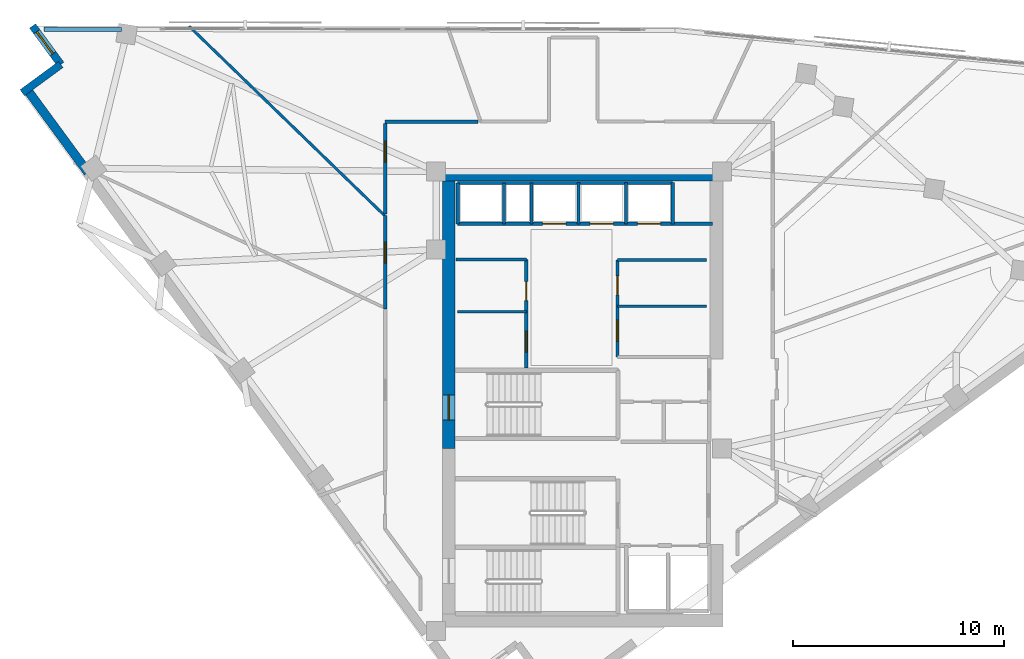
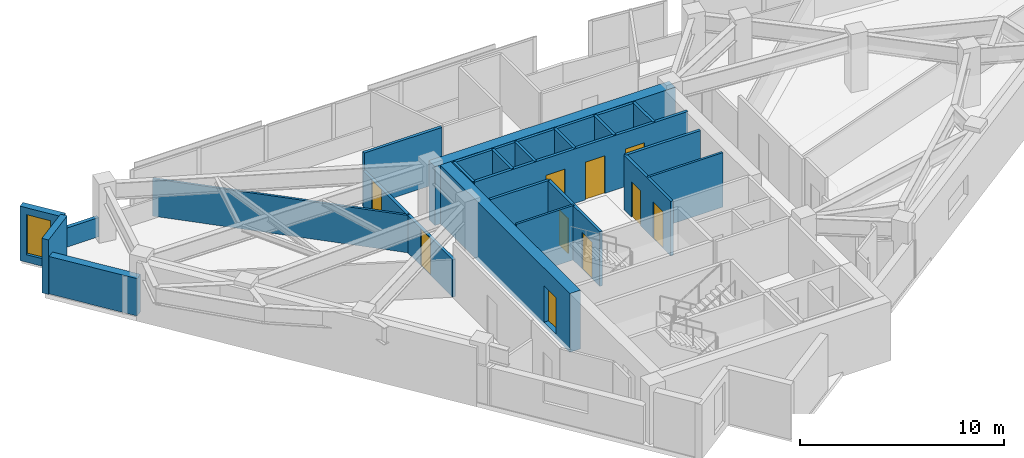
# One storey, part 9 of 14: 25 walls, 10 doors, 1 window, 11 openings.
"""IFC4 building model written with IfcOpenShell, lengths in metres."""

from ifc_helpers import new_model, si_unit, direction, frame, frame_2d, origin, place, context, subcontext, project, spatial, rectangle, extrude, material, layer, layer_set, type_object, element, fill, save


model = new_model("IFC4")

# Units and contexts
model_context = context("Model", 3, precision=1e-05, world=origin(), true_north=direction((0.0, 1.0)))
body_context = subcontext(model_context, "Body", "Model", "MODEL_VIEW")
ifc_project = project(units=[si_unit("LENGTHUNIT", "METRE"), si_unit("AREAUNIT", "SQUARE_METRE"), si_unit("VOLUMEUNIT", "CUBIC_METRE"), si_unit("PLANEANGLEUNIT", "RADIAN"), si_unit("MASSUNIT", "GRAM", prefix="KILO")], contexts=[model_context])

# Site, building, storey
site_placement = place(None, origin())
site = spatial("IfcSite", under=ifc_project, at=site_placement, CompositionType="ELEMENT")
building_placement = place(site_placement, origin())
building = spatial("IfcBuilding", under=site, at=building_placement, Name="Narakoshi Arena Tower", CompositionType="ELEMENT")
storey_placement = place(building_placement, frame((0.0, 0.0, 260.739990234375)))
storey = spatial("IfcBuildingStorey", under=building, at=storey_placement, Name="L71", CompositionType="ELEMENT", Elevation=260.739990234375)

# Wall, opening, door
ifc_material_1 = material(Name="Concrete C50/60", Category="concrete")
ifc_layer_1 = layer(ifc_material_1, 0.60009765625)
ifc_layer_set_1 = layer_set([ifc_layer_1], Name="Concrete C50/60")
wall_type_1 = type_object("IfcWallType", Name="WL-CORE-600", PredefinedType="SHEAR", material=ifc_layer_set_1)
wall_1_placement = place(storey_placement, frame((72.60009765625, 43.35009765625, -0.260009765625), z_axis=(0.0, 0.0, 1.0), x_axis=(0.0, 1.0, 0.0)))
wall_1 = element("IfcWall", 1, at=wall_1_placement, inside=storey, type_object=wall_type_1, Name="L71 Main Core Shear Wall CW-MN-W", PredefinedType="SHEAR", context=body_context, shape_type="SweptSolid", body=[
    extrude(rectangle(XDim=12.699951171875, YDim=0.60009765625, at=frame_2d((6.35009765625, 0.0))), origin(), (0.0, 0.0, 1.0), 3.52001953125),
])
opening_1_placement = place(wall_1_placement, frame((1.35009765625, 0.0, 0.260009765625)))
opening_1 = element("IfcOpeningElement", 2, at=opening_1_placement, cuts=wall_1, Name="Opening D-03", PredefinedType="OPENING", context=body_context, shape_type="SweptSolid", body=[
    extrude(rectangle(XDim=1.199951171875, YDim=2.199951171875, at=frame_2d((0.60009765625, 1.10009765625))), frame((0.0, 0.31005859375, 0.0), z_axis=(0.0, -1.0, 0.0), x_axis=(1.0, 0.0, 0.0)), (0.0, 0.0, 1.0), 0.6201171875),
])
ifc_material_2 = material(Name="Painted galvanized steel", Category="steel")
door_type_1 = type_object("IfcDoorType", Name="DR-STR-1200", OperationType="NOTDEFINED", PredefinedType="USERDEFINED", material=ifc_material_2)
door_1_placement = place(opening_1_placement, frame((1.199951171875, 0.0, 0.0), z_axis=(0.0, 0.0, 1.0), x_axis=(-1.0, 0.0, 0.0)))
door_1 = element("IfcDoor", 3, at=door_1_placement, inside=storey, type_object=door_type_1, Name="DR-L71-006", ObjectType="EXITDOOR", OperationType="SINGLE_SWING_LEFT", OverallHeight=2.199951171875, OverallWidth=1.199951171875, PredefinedType="USERDEFINED", context=body_context, shape_type="SweptSolid", body=[
    extrude(rectangle(XDim=1.199951171875, YDim=2.199951171875, at=frame_2d((0.60009765625, 1.10009765625))), frame((0.0, 0.02490234375, 0.0), z_axis=(0.0, -1.0, 0.0), x_axis=(1.0, 0.0, 0.0)), (0.0, 0.0, 1.0), 0.050048828125),
])
fill(opening_1, door_1)

# Wall
wall_2_placement = place(storey_placement, frame((72.0, 56.35009765625, -0.260009765625), z_axis=(0.0, 0.0, 1.0), x_axis=(1.0, 0.0, 0.0)))
element("IfcWall", 4, at=wall_2_placement, inside=storey, type_object=wall_type_1, Name="L71 Main Core Shear Wall CW-MN-N", PredefinedType="SHEAR", context=body_context, shape_type="SweptSolid", body=[
    extrude(rectangle(XDim=13.60009765625, YDim=0.60009765625, at=frame_2d((6.800048828125, 0.0))), origin(), (0.0, 0.0, 1.0), 3.52001953125),
])

# Wall, opening, door
ifc_material_3 = material(Name="Gypsum plasterboard fire-rated partition")
ifc_layer_2 = layer(ifc_material_3, 0.1650390625)
ifc_layer_set_2 = layer_set([ifc_layer_2], Name="Gypsum plasterboard fire-rated partition")
wall_type_2 = type_object("IfcWallType", Name="WL-CORR-165", PredefinedType="PARTITIONING", material=ifc_layer_set_2)
wall_3_placement = place(storey_placement, frame((69.577880859375, 54.41064453125, 0.0), z_axis=(0.0, 0.0, 1.0), x_axis=(0.0, -1.0, 0.0)))
wall_3 = element("IfcWall", 5, at=wall_3_placement, inside=storey, type_object=wall_type_2, Name="L71 Corridor Partition 07-1", PredefinedType="PARTITIONING", context=body_context, shape_type="SweptSolid", body=[
    extrude(rectangle(XDim=4.42822265625, YDim=0.1650390625, at=frame_2d((2.214111328125, 0.0))), origin(), (0.0, 0.0, 1.0), 2.237060546875),
])
opening_2_placement = place(wall_3_placement, frame((1.260009765625, 0.0, 0.0)))
opening_2 = element("IfcOpeningElement", 6, at=opening_2_placement, cuts=wall_3, Name="Opening D-06", PredefinedType="OPENING", context=body_context, shape_type="SweptSolid", body=[
    extrude(rectangle(XDim=1.0, YDim=2.199951171875, at=frame_2d((0.5, 1.10009765625))), frame((0.0, 0.092529296875, 0.0), z_axis=(0.0, -1.0, 0.0), x_axis=(1.0, 0.0, 0.0)), (0.0, 0.0, 1.0), 0.18505859375),
])
ifc_material_4 = material(Name="Stained oak solid-core timber", Category="wood")
door_type_2 = type_object("IfcDoorType", Name="DR-OFF-1000", OperationType="NOTDEFINED", PredefinedType="DOOR", material=ifc_material_4)
door_2_placement = place(opening_2_placement, frame((1.0, 0.0, 0.0), z_axis=(0.0, 0.0, 1.0), x_axis=(-1.0, 0.0, 0.0)))
door_2 = element("IfcDoor", 7, at=door_2_placement, inside=storey, type_object=door_type_2, Name="DR-L71-023", OperationType="SINGLE_SWING_LEFT", OverallHeight=2.199951171875, OverallWidth=1.0, PredefinedType="DOOR", context=body_context, shape_type="SweptSolid", body=[
    extrude(rectangle(XDim=1.0, YDim=2.199951171875, at=frame_2d((0.5, 1.10009765625))), frame((0.0, 0.02490234375, 0.0), z_axis=(0.0, -1.0, 0.0), x_axis=(1.0, 0.0, 0.0)), (0.0, 0.0, 1.0), 0.050048828125),
])
fill(opening_2, door_2)

# Wall
wall_4_placement = place(storey_placement, frame((73.98388671875, 58.872314453125, 0.0), z_axis=(0.0, 0.0, 1.0), x_axis=(-1.0, 0.0, 0.0)))
element("IfcWall", 8, at=wall_4_placement, inside=storey, type_object=wall_type_2, Name="L71 Corridor Partition 08-1", PredefinedType="PARTITIONING", context=body_context, shape_type="SweptSolid", body=[
    extrude(rectangle(XDim=4.406005859375, YDim=0.1650390625, at=frame_2d((2.203125, 0.0))), origin(), (0.0, 0.0, 1.0), 3.260009765625),
])

# Wall, opening, door
wall_5_placement = place(storey_placement, frame((69.577880859375, 58.777587890625, 0.0), z_axis=(0.0, 0.0, 1.0), x_axis=(0.0, -1.0, 0.0)))
wall_5 = element("IfcWall", 9, at=wall_5_placement, inside=storey, type_object=wall_type_2, Name="L71 Corridor Partition 08-2", PredefinedType="PARTITIONING", context=body_context, shape_type="SweptSolid", body=[
    extrude(rectangle(XDim=4.2900390625, YDim=0.1650390625, at=frame_2d((2.14501953125, 0.0))), origin(), (0.0, 0.0, 1.0), 2.237060546875),
])
opening_3_placement = place(wall_5_placement, frame((0.835693359375, 0.0, 0.0)))
opening_3 = element("IfcOpeningElement", 10, at=opening_3_placement, cuts=wall_5, Name="Opening D-06", PredefinedType="OPENING", context=body_context, shape_type="SweptSolid", body=[
    extrude(rectangle(XDim=1.0, YDim=2.199951171875, at=frame_2d((0.5, 1.10009765625))), frame((0.0, 0.092529296875, 0.0), z_axis=(0.0, -1.0, 0.0), x_axis=(1.0, 0.0, 0.0)), (0.0, 0.0, 1.0), 0.18505859375),
])
door_3_placement = place(opening_3_placement, frame((1.0, 0.0, 0.0), z_axis=(0.0, 0.0, 1.0), x_axis=(-1.0, 0.0, 0.0)))
door_3 = element("IfcDoor", 11, at=door_3_placement, inside=storey, type_object=door_type_2, Name="DR-L71-024", OperationType="SINGLE_SWING_RIGHT", OverallHeight=2.199951171875, OverallWidth=1.0, PredefinedType="DOOR", context=body_context, shape_type="SweptSolid", body=[
    extrude(rectangle(XDim=1.0, YDim=2.199951171875, at=frame_2d((0.5, 1.10009765625))), frame((0.0, 0.02490234375, 0.0), z_axis=(0.0, -1.0, 0.0), x_axis=(1.0, 0.0, 0.0)), (0.0, 0.0, 1.0), 0.050048828125),
])
fill(opening_3, door_3)

# Walls
ifc_material_5 = material(Name="Precast concrete C45/55", Category="concrete")
ifc_layer_3 = layer(ifc_material_5, 0.25)
ifc_layer_set_3 = layer_set([ifc_layer_3], Name="Precast concrete C45/55")
wall_type_3 = type_object("IfcWallType", Name="WL-PARA-250", PredefinedType="PARAPET", material=ifc_layer_set_3)
wall_6_placement = place(storey_placement, frame((57.064208984375, 63.240966796875, 0.0), z_axis=(0.0, 0.0, 1.0), x_axis=(-0.999998274159, 0.001857869529, 0.0)))
element("IfcWall", 12, at=wall_6_placement, inside=storey, type_object=wall_type_3, Name="L71 Hypotenuse Sill Upstand Parapet 2-02", PredefinedType="PARAPET", context=body_context, shape_type="SweptSolid", body=[
    extrude(rectangle(XDim=3.679443359375, YDim=0.199951171875, at=frame_2d((1.83984375, 0.0))), origin(), (0.0, 0.0, 1.0), 1.14990234375),
])
ifc_layer_4 = layer(ifc_material_3, 0.125)
ifc_layer_set_4 = layer_set([ifc_layer_4], Name="Gypsum plasterboard fire-rated partition")
wall_type_4 = type_object("IfcWallType", Name="WL-PART-125", PredefinedType="PARTITIONING", material=ifc_layer_set_4)
wall_7_placement = place(storey_placement, frame((73.0, 49.85009765625, 0.0), z_axis=(0.0, 0.0, 1.0), x_axis=(1.0, 0.0, 0.0)))
element("IfcWall", 13, at=wall_7_placement, inside=storey, type_object=wall_type_4, Name="L71 Core Wall RCL-LR-D0", PredefinedType="PARTITIONING", context=body_context, shape_type="SweptSolid", body=[
    extrude(rectangle(XDim=3.280029296875, YDim=0.125, at=frame_2d((1.64013671875, 0.0))), origin(), (0.0, 0.0, 1.0), 3.260009765625),
])
wall_8_placement = place(storey_placement, frame((80.60009765625, 50.10009765625, 0.0), z_axis=(0.0, 0.0, 1.0), x_axis=(1.0, 0.0, 0.0)))
element("IfcWall", 14, at=wall_8_placement, inside=storey, type_object=wall_type_4, Name="L71 Core Wall RCL-MR-D", PredefinedType="PARTITIONING", context=body_context, shape_type="SweptSolid", body=[
    extrude(rectangle(XDim=4.219970703125, YDim=0.125, at=frame_2d((2.10986328125, 0.0))), origin(), (0.0, 0.0, 1.0), 3.260009765625),
])
wall_9_placement = place(storey_placement, frame((60.27490234375, 63.395263671875, 0.0), z_axis=(0.0, 0.0, 1.0), x_axis=(0.718266500505, -0.695768089418, 0.0)))
element("IfcWall", 15, at=wall_9_placement, inside=storey, type_object=wall_type_4, Name="L71 Inter-Room Partition 07-08", PredefinedType="PARTITIONING", context=body_context, shape_type="SweptSolid", body=[
    extrude(rectangle(XDim=12.913330078125, YDim=0.125, at=frame_2d((6.45654296875, 0.0))), origin(), (0.0, 0.0, 1.0), 2.237060546875),
])
ifc_layer_5 = layer(ifc_material_5, 0.419921875)
ifc_layer_set_5 = layer_set([ifc_layer_5], Name="Precast concrete C45/55")
wall_type_5 = type_object("IfcWallType", Name="WL-POD-420", PredefinedType="SOLIDWALL", material=ifc_layer_set_5)
wall_10_placement = place(storey_placement, frame((52.578857421875, 60.400390625, 0.0), z_axis=(0.0, 0.0, 1.0), x_axis=(0.591311800505, -0.806443026248, 0.0)))
element("IfcWall", 16, at=wall_10_placement, inside=storey, type_object=wall_type_5, Name="L71 Architectural Concrete Facade Wall LEGB-1", PredefinedType="SOLIDWALL", context=body_context, shape_type="SweptSolid", body=[
    extrude(rectangle(XDim=4.89794921875, YDim=0.419921875, at=frame_2d((2.448974609375, 0.0))), origin(), (0.0, 0.0, 1.0), 2.237060546875),
])

# Wall, opening, window
wall_11_placement = place(storey_placement, frame((52.84521484375, 63.40869140625, 0.0), z_axis=(0.0, 0.0, 1.0), x_axis=(0.591251685745, -0.806487101015, 0.0)))
wall_11 = element("IfcWall", 17, at=wall_11_placement, inside=storey, type_object=wall_type_5, Name="L71 Re-Entrant Corner Notch Wall NTN-1", PredefinedType="SOLIDWALL", context=body_context, shape_type="SweptSolid", body=[
    extrude(rectangle(XDim=2.2685546875, YDim=0.360107421875, at=frame_2d((1.13427734375, 0.0))), origin(), (0.0, 0.0, 1.0), 3.260009765625),
])
opening_4_placement = place(wall_11_placement, frame((0.340087890625, 0.0, 0.449951171875)))
opening_4 = element("IfcOpeningElement", 18, at=opening_4_placement, cuts=wall_11, Name="Opening WN-06", PredefinedType="OPENING", context=body_context, shape_type="SweptSolid", body=[
    extrude(rectangle(XDim=1.300048828125, YDim=2.39990234375, at=frame_2d((0.64990234375, 1.199951171875))), frame((0.0, 0.18994140625, 0.0), z_axis=(0.0, -1.0, 0.0), x_axis=(1.0, 0.0, 0.0)), (0.0, 0.0, 1.0), 0.380126953125),
])
ifc_material_6 = material(Name="Bronze-tinted low-E laminated glass", Category="glass")
window_type = type_object("IfcWindowType", Name="WIN-NTC-16x24", PartitioningType="SINGLE_PANEL", PredefinedType="WINDOW", material=ifc_material_6)
window_placement = place(opening_4_placement, origin())
window = element("IfcWindow", 19, at=window_placement, inside=storey, type_object=window_type, Name="L71 Corner Notch Window NTN", OverallHeight=2.39990234375, OverallWidth=1.300048828125, PartitioningType="SINGLE_PANEL", PredefinedType="WINDOW", context=body_context, shape_type="SweptSolid", body=[
    extrude(rectangle(XDim=1.300048828125, YDim=2.39990234375, at=frame_2d((0.64990234375, 1.199951171875))), frame((0.0, 0.030029296875, 0.0), z_axis=(0.0, -1.0, 0.0), x_axis=(1.0, 0.0, 0.0)), (0.0, 0.0, 1.0), 0.06005859375),
])
fill(opening_4, window)

# Walls
wall_12_placement = place(storey_placement, frame((54.1865234375, 61.5791015625, 0.0), z_axis=(0.0, 0.0, 1.0), x_axis=(-0.806449475274, -0.591303005092, 0.0)))
element("IfcWall", 20, at=wall_12_placement, inside=storey, type_object=wall_type_5, Name="L71 Re-Entrant Corner Notch Wall NTN-2", PredefinedType="SOLIDWALL", context=body_context, shape_type="SweptSolid", body=[
    extrude(rectangle(XDim=2.268310546875, YDim=0.360107421875, at=frame_2d((1.13427734375, 0.0))), origin(), (0.0, 0.0, 1.0), 3.260009765625),
])
ifc_material_7 = material(Name="Concrete C40/50", Category="concrete")
ifc_layer_6 = layer(ifc_material_7, 0.280029296875)
ifc_layer_set_6 = layer_set([ifc_layer_6], Name="Concrete C40/50")
wall_type_6 = type_object("IfcWallType", Name="WL-RISER-280", PredefinedType="PLUMBINGWALL", material=ifc_layer_set_6)
for number, where, z_axis, x_axis, name in (
    (21, (73.02001953125, 54.02001953125, 0.0), (0.0, 0.0, 1.0), (0.0, 1.0, 0.0), "L71 Core Wall OBS-W"),
    (22, (75.219970703125, 54.02001953125, 0.0), (0.0, 0.0, 1.0), (0.0, 1.0, 0.0), "L71 Core Wall OBS-M"),
):
    element("IfcWall", number, at=place(storey_placement, frame(where, z_axis=z_axis, x_axis=x_axis)), inside=storey, type_object=wall_type_6, Name=name, PredefinedType="PLUMBINGWALL", context=body_context, shape_type="SweptSolid", body=[
        extrude(rectangle(XDim=1.93994140625, YDim=0.14990234375, at=frame_2d((0.969970703125, 0.0))), origin(), (0.0, 0.0, 1.0), 3.260009765625),
    ])
for number, where, z_axis, x_axis, name in (
    (23, (78.75, 54.02001953125, 0.0), (0.0, 0.0, 1.0), (0.0, 1.0, 0.0), "L71 Core Wall HR-D1"),
    (24, (81.0, 54.02001953125, 0.0), (0.0, 0.0, 1.0), (0.0, 1.0, 0.0), "L71 Core Wall HR-D2"),
):
    element("IfcWall", number, at=place(storey_placement, frame(where, z_axis=z_axis, x_axis=x_axis)), inside=storey, type_object=wall_type_6, Name=name, PredefinedType="PLUMBINGWALL", context=body_context, shape_type="SweptSolid", body=[
        extrude(rectangle(XDim=1.9599609375, YDim=0.14990234375, at=frame_2d((0.97998046875, 0.0))), origin(), (0.0, 0.0, 1.0), 3.260009765625),
    ])

# Wall, openings, doors
ifc_layer_7 = layer(ifc_material_1, 0.35009765625)
ifc_layer_set_7 = layer_set([ifc_layer_7], Name="Concrete C50/60")
wall_type_7 = type_object("IfcWallType", Name="WL-SHAFT-350", PredefinedType="SOLIDWALL", material=ifc_layer_set_7)
wall_13_placement = place(storey_placement, frame((76.280029296875, 47.179931640625, 0.0), z_axis=(0.0, 0.0, 1.0), x_axis=(0.0, 1.0, 0.0)))
wall_13 = element("IfcWall", 25, at=wall_13_placement, inside=storey, type_object=wall_type_7, Name="L71 Core Wall LR-E", PredefinedType="SOLIDWALL", context=body_context, shape_type="SweptSolid", body=[
    extrude(rectangle(XDim=5.14013671875, YDim=0.159912109375, at=frame_2d((2.570068359375, 0.0))), origin(), (0.0, 0.0, 1.0), 3.260009765625),
])
opening_5_placement = place(wall_13_placement, frame((0.75, 0.0, 0.0)))
opening_5 = element("IfcOpeningElement", 26, at=opening_5_placement, cuts=wall_13, Name="Opening D-06", PredefinedType="OPENING", context=body_context, shape_type="SweptSolid", body=[
    extrude(rectangle(XDim=1.0, YDim=2.199951171875, at=frame_2d((0.5, 1.10009765625))), frame((0.0, 0.08984375, 0.0), z_axis=(0.0, -1.0, 0.0), x_axis=(1.0, 0.0, 0.0)), (0.0, 0.0, 1.0), 0.179931640625),
])
opening_6_placement = place(wall_13_placement, frame((3.199951171875, 0.0, 0.0)))
opening_6 = element("IfcOpeningElement", 27, at=opening_6_placement, cuts=wall_13, Name="Opening D-08", PredefinedType="OPENING", context=body_context, shape_type="SweptSolid", body=[
    extrude(rectangle(XDim=0.89990234375, YDim=2.10009765625, at=frame_2d((0.449951171875, 1.050048828125))), frame((0.0, 0.08984375, 0.0), z_axis=(0.0, -1.0, 0.0), x_axis=(1.0, 0.0, 0.0)), (0.0, 0.0, 1.0), 0.179931640625),
])
door_4_placement = place(opening_5_placement, frame((1.0, 0.0, 0.0), z_axis=(0.0, 0.0, 1.0), x_axis=(-1.0, 0.0, 0.0)))
door_4 = element("IfcDoor", 28, at=door_4_placement, inside=storey, type_object=door_type_2, Name="DR-L71-010", OperationType="SINGLE_SWING_LEFT", OverallHeight=2.199951171875, OverallWidth=1.0, PredefinedType="DOOR", context=body_context, shape_type="SweptSolid", body=[
    extrude(rectangle(XDim=1.0, YDim=2.199951171875, at=frame_2d((0.5, 1.10009765625))), frame((0.0, 0.02490234375, 0.0), z_axis=(0.0, -1.0, 0.0), x_axis=(1.0, 0.0, 0.0)), (0.0, 0.0, 1.0), 0.050048828125),
])
fill(opening_5, door_4)
ifc_material_8 = material(Name="Moisture-resistant laminate timber", Category="wood")
door_type_3 = type_object("IfcDoorType", Name="DR-WC-900", OperationType="NOTDEFINED", PredefinedType="DOOR", material=ifc_material_8)
door_5_placement = place(opening_6_placement, frame((0.89990234375, 0.0, 0.0), z_axis=(0.0, 0.0, 1.0), x_axis=(-1.0, 0.0, 0.0)))
door_5 = element("IfcDoor", 29, at=door_5_placement, inside=storey, type_object=door_type_3, Name="DR-L71-011", OperationType="SINGLE_SWING_RIGHT", OverallHeight=2.10009765625, OverallWidth=0.89990234375, PredefinedType="DOOR", context=body_context, shape_type="SweptSolid", body=[
    extrude(rectangle(XDim=0.89990234375, YDim=2.10009765625, at=frame_2d((0.449951171875, 1.050048828125))), frame((0.0, 0.02490234375, 0.0), z_axis=(0.0, -1.0, 0.0), x_axis=(1.0, 0.0, 0.0)), (0.0, 0.0, 1.0), 0.050048828125),
])
fill(opening_6, door_5)

# Wall
wall_14_placement = place(storey_placement, frame((72.949951171875, 52.320068359375, 0.0), z_axis=(0.0, 0.0, 1.0), x_axis=(1.0, 0.0, 0.0)))
element("IfcWall", 30, at=wall_14_placement, inside=storey, type_object=wall_type_7, Name="L71 Core Wall LR-N", PredefinedType="SOLIDWALL", context=body_context, shape_type="SweptSolid", body=[
    extrude(rectangle(XDim=3.330078125, YDim=0.14990234375, at=frame_2d((1.6650390625, 0.0))), origin(), (0.0, 0.0, 1.0), 3.260009765625),
])

# Wall, openings, doors
wall_15_placement = place(storey_placement, frame((80.60009765625, 47.699951171875, 0.0), z_axis=(0.0, 0.0, 1.0), x_axis=(0.0, 1.0, 0.0)))
wall_15 = element("IfcWall", 31, at=wall_15_placement, inside=storey, type_object=wall_type_7, Name="L71 Core Wall MR-W", PredefinedType="SOLIDWALL", context=body_context, shape_type="SweptSolid", body=[
    extrude(rectangle(XDim=4.60009765625, YDim=0.159912109375, at=frame_2d((2.300048828125, 0.0))), origin(), (0.0, 0.0, 1.0), 3.260009765625),
])
opening_7_placement = place(wall_15_placement, frame((0.75, 0.0, 0.0)))
opening_7 = element("IfcOpeningElement", 32, at=opening_7_placement, cuts=wall_15, Name="Opening D-06", PredefinedType="OPENING", context=body_context, shape_type="SweptSolid", body=[
    extrude(rectangle(XDim=1.0, YDim=2.199951171875, at=frame_2d((0.5, 1.10009765625))), frame((0.0, 0.08984375, 0.0), z_axis=(0.0, -1.0, 0.0), x_axis=(1.0, 0.0, 0.0)), (0.0, 0.0, 1.0), 0.179931640625),
])
opening_8_placement = place(wall_15_placement, frame((2.949951171875, 0.0, 0.0)))
opening_8 = element("IfcOpeningElement", 33, at=opening_8_placement, cuts=wall_15, Name="Opening D-08", PredefinedType="OPENING", context=body_context, shape_type="SweptSolid", body=[
    extrude(rectangle(XDim=0.89990234375, YDim=2.10009765625, at=frame_2d((0.449951171875, 1.050048828125))), frame((0.0, 0.08984375, 0.0), z_axis=(0.0, -1.0, 0.0), x_axis=(1.0, 0.0, 0.0)), (0.0, 0.0, 1.0), 0.179931640625),
])
door_6_placement = place(opening_7_placement, origin())
door_6 = element("IfcDoor", 34, at=door_6_placement, inside=storey, type_object=door_type_2, Name="DR-L71-012", OperationType="SINGLE_SWING_RIGHT", OverallHeight=2.199951171875, OverallWidth=1.0, PredefinedType="DOOR", context=body_context, shape_type="SweptSolid", body=[
    extrude(rectangle(XDim=1.0, YDim=2.199951171875, at=frame_2d((0.5, 1.10009765625))), frame((0.0, 0.02490234375, 0.0), z_axis=(0.0, -1.0, 0.0), x_axis=(1.0, 0.0, 0.0)), (0.0, 0.0, 1.0), 0.050048828125),
])
fill(opening_7, door_6)
door_7_placement = place(opening_8_placement, origin())
door_7 = element("IfcDoor", 35, at=door_7_placement, inside=storey, type_object=door_type_3, Name="DR-L71-013", OperationType="SINGLE_SWING_LEFT", OverallHeight=2.10009765625, OverallWidth=0.89990234375, PredefinedType="DOOR", context=body_context, shape_type="SweptSolid", body=[
    extrude(rectangle(XDim=0.89990234375, YDim=2.10009765625, at=frame_2d((0.449951171875, 1.050048828125))), frame((0.0, 0.02490234375, 0.0), z_axis=(0.0, -1.0, 0.0), x_axis=(1.0, 0.0, 0.0)), (0.0, 0.0, 1.0), 0.050048828125),
])
fill(opening_8, door_7)

# Wall
wall_16_placement = place(storey_placement, frame((80.60009765625, 52.300048828125, 0.0), z_axis=(0.0, 0.0, 1.0), x_axis=(1.0, 0.0, 0.0)))
element("IfcWall", 36, at=wall_16_placement, inside=storey, type_object=wall_type_7, Name="L71 Core Wall MR-N", PredefinedType="SOLIDWALL", context=body_context, shape_type="SweptSolid", body=[
    extrude(rectangle(XDim=4.219970703125, YDim=0.159912109375, at=frame_2d((2.10986328125, 0.0))), origin(), (0.0, 0.0, 1.0), 3.260009765625),
])

# Wall, openings, doors
wall_17_placement = place(storey_placement, frame((73.02001953125, 54.02001953125, 0.0), z_axis=(0.0, 0.0, 1.0), x_axis=(1.0, 0.0, 0.0)))
wall_17 = element("IfcWall", 37, at=wall_17_placement, inside=storey, type_object=wall_type_7, Name="L71 Core Wall NSHF-S", PredefinedType="SOLIDWALL", context=body_context, shape_type="SweptSolid", body=[
    extrude(rectangle(XDim=12.080078125, YDim=0.159912109375, at=frame_2d((6.0400390625, 0.0))), origin(), (0.0, 0.0, 1.0), 3.260009765625),
])
opening_9_placement = place(wall_17_placement, frame((4.030029296875, 0.0, 0.0)))
opening_9 = element("IfcOpeningElement", 38, at=opening_9_placement, cuts=wall_17, Name="Opening LD-01", PredefinedType="OPENING", context=body_context, shape_type="SweptSolid", body=[
    extrude(rectangle(XDim=1.10009765625, YDim=2.25, at=frame_2d((0.550048828125, 1.125))), frame((0.0, 0.08984375, 0.0), z_axis=(0.0, -1.0, 0.0), x_axis=(1.0, 0.0, 0.0)), (0.0, 0.0, 1.0), 0.179931640625),
])
opening_10_placement = place(wall_17_placement, frame((6.280029296875, 0.0, 0.0)))
opening_10 = element("IfcOpeningElement", 39, at=opening_10_placement, cuts=wall_17, Name="Opening LD-01", PredefinedType="OPENING", context=body_context, shape_type="SweptSolid", body=[
    extrude(rectangle(XDim=1.10009765625, YDim=2.25, at=frame_2d((0.550048828125, 1.125))), frame((0.0, 0.08984375, 0.0), z_axis=(0.0, -1.0, 0.0), x_axis=(1.0, 0.0, 0.0)), (0.0, 0.0, 1.0), 0.179931640625),
])
opening_11_placement = place(wall_17_placement, frame((8.530029296875, 0.0, 0.0)))
opening_11 = element("IfcOpeningElement", 40, at=opening_11_placement, cuts=wall_17, Name="Opening LD-01", PredefinedType="OPENING", context=body_context, shape_type="SweptSolid", body=[
    extrude(rectangle(XDim=1.10009765625, YDim=2.25, at=frame_2d((0.550048828125, 1.125))), frame((0.0, 0.08984375, 0.0), z_axis=(0.0, -1.0, 0.0), x_axis=(1.0, 0.0, 0.0)), (0.0, 0.0, 1.0), 0.179931640625),
])
ifc_material_9 = material(Name="Brushed bronze stainless steel", Category="steel")
door_type_4 = type_object("IfcDoorType", Name="DR-LFT-1100", OperationType="DOUBLE_DOOR_SLIDING", PredefinedType="DOOR", material=ifc_material_9)
door_8_placement = place(opening_9_placement, origin())
door_8 = element("IfcDoor", 41, at=door_8_placement, inside=storey, type_object=door_type_4, Name="DR-L71-014", OperationType="DOUBLE_DOOR_SLIDING", OverallHeight=2.25, OverallWidth=1.10009765625, PredefinedType="DOOR", context=body_context, shape_type="SweptSolid", body=[
    extrude(rectangle(XDim=1.10009765625, YDim=2.25, at=frame_2d((0.550048828125, 1.125))), frame((0.0, 0.02490234375, 0.0), z_axis=(0.0, -1.0, 0.0), x_axis=(1.0, 0.0, 0.0)), (0.0, 0.0, 1.0), 0.050048828125),
])
fill(opening_9, door_8)
door_9_placement = place(opening_10_placement, origin())
door_9 = element("IfcDoor", 42, at=door_9_placement, inside=storey, type_object=door_type_4, Name="DR-L71-015", OperationType="DOUBLE_DOOR_SLIDING", OverallHeight=2.25, OverallWidth=1.10009765625, PredefinedType="DOOR", context=body_context, shape_type="SweptSolid", body=[
    extrude(rectangle(XDim=1.10009765625, YDim=2.25, at=frame_2d((0.550048828125, 1.125))), frame((0.0, 0.02490234375, 0.0), z_axis=(0.0, -1.0, 0.0), x_axis=(1.0, 0.0, 0.0)), (0.0, 0.0, 1.0), 0.050048828125),
])
fill(opening_10, door_9)
door_10_placement = place(opening_11_placement, origin())
door_10 = element("IfcDoor", 43, at=door_10_placement, inside=storey, type_object=door_type_4, Name="DR-L71-016", OperationType="DOUBLE_DOOR_SLIDING", OverallHeight=2.25, OverallWidth=1.10009765625, PredefinedType="DOOR", context=body_context, shape_type="SweptSolid", body=[
    extrude(rectangle(XDim=1.10009765625, YDim=2.25, at=frame_2d((0.550048828125, 1.125))), frame((0.0, 0.02490234375, 0.0), z_axis=(0.0, -1.0, 0.0), x_axis=(1.0, 0.0, 0.0)), (0.0, 0.0, 1.0), 0.050048828125),
])
fill(opening_11, door_10)

# Walls
wall_18_placement = place(storey_placement, frame((73.02001953125, 55.9599609375, 0.0), z_axis=(0.0, 0.0, 1.0), x_axis=(1.0, 0.0, 0.0)))
element("IfcWall", 44, at=wall_18_placement, inside=storey, type_object=wall_type_7, Name="L71 Core Wall OBS-N", PredefinedType="SOLIDWALL", context=body_context, shape_type="SweptSolid", body=[
    extrude(rectangle(XDim=3.5, YDim=0.14990234375, at=frame_2d((1.75, 0.0))), origin(), (0.0, 0.0, 1.0), 3.260009765625),
])
wall_19_placement = place(storey_placement, frame((76.52001953125, 54.02001953125, 0.0), z_axis=(0.0, 0.0, 1.0), x_axis=(0.0, 1.0, 0.0)))
element("IfcWall", 45, at=wall_19_placement, inside=storey, type_object=wall_type_7, Name="L71 Core Wall OBS-E", PredefinedType="SOLIDWALL", context=body_context, shape_type="SweptSolid", body=[
    extrude(rectangle(XDim=1.93994140625, YDim=0.14990234375, at=frame_2d((0.969970703125, 0.0))), origin(), (0.0, 0.0, 1.0), 3.260009765625),
])
wall_20_placement = place(storey_placement, frame((83.219970703125, 54.02001953125, 0.0), z_axis=(0.0, 0.0, 1.0), x_axis=(0.0, 1.0, 0.0)))
element("IfcWall", 46, at=wall_20_placement, inside=storey, type_object=wall_type_7, Name="L71 Core Wall HR-E", PredefinedType="SOLIDWALL", context=body_context, shape_type="SweptSolid", body=[
    extrude(rectangle(XDim=1.9599609375, YDim=0.14990234375, at=frame_2d((0.97998046875, 0.0))), origin(), (0.0, 0.0, 1.0), 3.260009765625),
])
wall_21_placement = place(storey_placement, frame((76.52001953125, 55.9599609375, 0.0), z_axis=(0.0, 0.0, 1.0), x_axis=(1.0, 0.0, 0.0)))
element("IfcWall", 47, at=wall_21_placement, inside=storey, type_object=wall_type_7, Name="L71 Core Wall HR-N", PredefinedType="SOLIDWALL", context=body_context, shape_type="SweptSolid", body=[
    extrude(rectangle(XDim=6.699951171875, YDim=0.14990234375, at=frame_2d((3.35009765625, 0.0))), origin(), (0.0, 0.0, 1.0), 3.260009765625),
])

save(model, "model.ifc")
